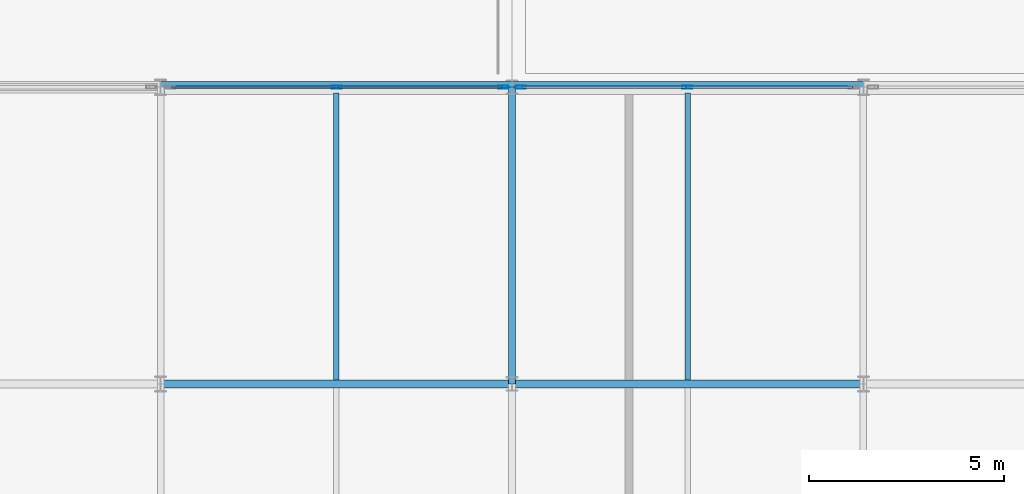
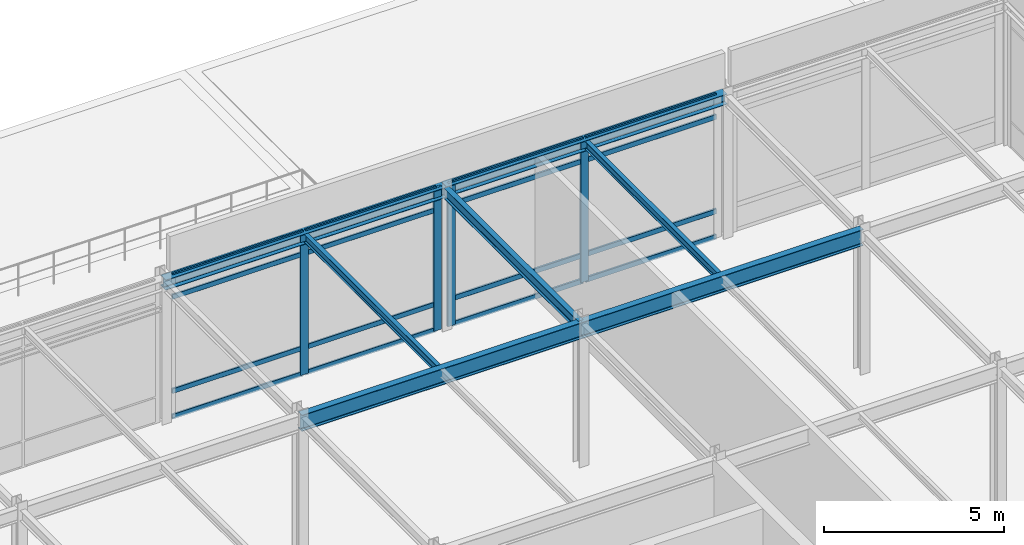
# One storey, part 44 of 79: 20 members, 7 beams, 2 elements without a shape of their own.
"""IFC4 building model written with IfcOpenShell, lengths in metres."""

from ifc_helpers import new_model, si_unit, direction, frame, origin, origin_2d, place, context, subcontext, project, spatial, hollow_rectangle, i_section, extrude, material, layer, layer_set, material_profile, profile_set, type_object, element, aggregate, save


model = new_model("IFC4")

# Units and contexts
model_context = context("Model", 3, precision=1e-05, world=origin(), true_north=direction((0.0, 1.0)))
body_context = subcontext(model_context, "Body", "Model", "MODEL_VIEW")
ifc_project = project(units=[si_unit("LENGTHUNIT", "METRE"), si_unit("AREAUNIT", "SQUARE_METRE"), si_unit("VOLUMEUNIT", "CUBIC_METRE"), si_unit("PLANEANGLEUNIT", "RADIAN"), si_unit("MASSUNIT", "GRAM", prefix="KILO")], contexts=[model_context])

# Site, building, storey
site_placement = place(None, origin())
site = spatial("IfcSite", under=ifc_project, at=site_placement, CompositionType="ELEMENT")
building_placement = place(site_placement, origin())
building = spatial("IfcBuilding", under=site, at=building_placement, Name="Shalkamar Park Central Library", CompositionType="ELEMENT")
storey_placement = place(building_placement, frame((0.0, 0.0, 10.5)))
storey = spatial("IfcBuildingStorey", under=building, at=storey_placement, Name="L03", CompositionType="ELEMENT", Elevation=10.5)

# Beams
ifc_material_1 = material(Name="Steel S355", Category="steel")
ifc_material_profile_1 = material_profile(ifc_material_1, i_section(OverallWidth=0.135009765625, OverallDepth=0.27001953125, WebThickness=0.006591796875, FlangeThickness=0.01025390625, FilletRadius=0.014892578125, at=origin_2d()), Name="IPE 270")
ifc_profile_set_1 = profile_set([ifc_material_profile_1], Name="Steel S355")
beam_type_1 = type_object("IfcBeamType", Name="Composite Floor Joist IPE270", PredefinedType="JOIST", material=ifc_profile_set_1)
for number, where, z_axis, x_axis, name in (
    (1, (250.5, 316.10302734375, 4.705078125), (0.0, 1.0, 0.0), (-1.0, 0.0, 0.0), "Composite Joist 17/L-1 (L03)"),
    (2, (259.5, 316.10302734375, 4.705078125), (0.0, 1.0, 0.0), (-1.0, 0.0, 0.0), "Composite Joist 18/L-1 (L03)"),
):
    element("IfcBeam", number, at=place(storey_placement, frame(where, z_axis=z_axis, x_axis=x_axis)), inside=storey, type_object=beam_type_1, Name=name, PredefinedType="JOIST", context=body_context, shape_type="SweptSolid", body=[
        extrude(i_section(OverallWidth=0.135009765625, OverallDepth=0.27001953125, WebThickness=0.006591796875, FlangeThickness=0.01025390625, FilletRadius=0.014892578125, at=origin_2d()), origin(), (0.0, 0.0, 1.0), 7.348876953125),
    ])

# Curtain wall, members
ifc_material_2 = material(Name="Thermally broken aluminium and triple low-e curtain wall", Category="aluminium")
ifc_layer_1 = layer(ifc_material_2, 0.260009765625)
ifc_layer_set_1 = layer_set([ifc_layer_1], Name="UnitisedCurtainWall_47")
curtain_wall_type_1 = type_object("IfcCurtainWallType", Name="Unitised Curtain Wall 47", PredefinedType="USERDEFINED", material=ifc_layer_set_1)
curtain_wall_1_placement = place(storey_placement, origin())
curtain_wall_1 = element("IfcCurtainWall", 3, at=curtain_wall_1_placement, inside=storey, type_object=curtain_wall_type_1, Name="Unitised Curtain Wall CW-L03-057", ObjectType="UNITISED CURTAIN WALL", PredefinedType="USERDEFINED")
ifc_material_3 = material(Name="Aluminium 6060-T66", Category="aluminium")
ifc_material_profile_2 = material_profile(ifc_material_3, hollow_rectangle(XDim=0.074951171875, YDim=0.260009765625, WallThickness=0.00439453125, InnerFilletRadius=0.00439453125, OuterFilletRadius=0.0068359375, at=origin_2d()), Name="ALU 75x260x4.5")
ifc_profile_set_2 = profile_set([ifc_material_profile_2], Name="Aluminium 6060-T66")
member_type_1 = type_object("IfcMemberType", Name="Curtain Wall Mullion ALU75x260", PredefinedType="MULLION", material=ifc_profile_set_2)
member_1_placement = place(storey_placement, frame((250.510009765625, 323.60009765625, 0.0), z_axis=(0.0, 0.0, 1.0), x_axis=(0.0, 1.0, 0.0)))
member_1 = element("IfcMember", 4, at=member_1_placement, type_object=member_type_1, Name="CW-47 mullion 2", PredefinedType="MULLION", context=body_context, shape_type="SweptSolid", body=[
    extrude(hollow_rectangle(XDim=0.074951171875, YDim=0.260009765625, WallThickness=0.00439453125, InnerFilletRadius=0.00439453125, OuterFilletRadius=0.0068359375, at=origin_2d()), origin(), (0.0, 0.0, 1.0), 4.840087890625),
])
member_2_placement = place(storey_placement, frame((254.778564453125, 323.60009765625, 0.0), z_axis=(0.0, 0.0, 1.0), x_axis=(0.0, 1.0, 0.0)))
member_2 = element("IfcMember", 5, at=member_2_placement, type_object=member_type_1, Name="CW-47 mullion 3", PredefinedType="MULLION", context=body_context, shape_type="SweptSolid", body=[
    extrude(hollow_rectangle(XDim=0.074951171875, YDim=0.260009765625, WallThickness=0.00439453125, InnerFilletRadius=0.00439453125, OuterFilletRadius=0.0068359375, at=origin_2d()), origin(), (0.0, 0.0, 1.0), 4.840087890625),
])

ifc_layer_2 = layer(ifc_material_2, 0.2548828125)
ifc_layer_set_2 = layer_set([ifc_layer_2], Name="UnitisedCurtainWall_35")
curtain_wall_type_2 = type_object("IfcCurtainWallType", Name="Unitised Curtain Wall 35", PredefinedType="USERDEFINED", material=ifc_layer_set_2)
curtain_wall_2_placement = place(storey_placement, origin())
curtain_wall_2 = element("IfcCurtainWall", 6, at=curtain_wall_2_placement, inside=storey, type_object=curtain_wall_type_2, Name="Unitised Curtain Wall CW-L03-058", ObjectType="UNITISED CURTAIN WALL", PredefinedType="USERDEFINED")
ifc_material_profile_3 = material_profile(ifc_material_3, hollow_rectangle(XDim=0.080078125, YDim=0.2548828125, WallThickness=0.00439453125, InnerFilletRadius=0.00439453125, OuterFilletRadius=0.0068359375, at=origin_2d()), Name="ALU 80x255x4.5")
ifc_profile_set_3 = profile_set([ifc_material_profile_3], Name="Aluminium 6060-T66")
member_type_2 = type_object("IfcMemberType", Name="Curtain Wall Mullion ALU80x255", PredefinedType="MULLION", material=ifc_profile_set_3)
member_3_placement = place(storey_placement, frame((255.22412109375, 323.60009765625, 0.0), z_axis=(0.0, 0.0, 1.0), x_axis=(0.0, 1.0, 0.0)))
member_3 = element("IfcMember", 7, at=member_3_placement, type_object=member_type_2, Name="CW-35 mullion 1", PredefinedType="MULLION", context=body_context, shape_type="SweptSolid", body=[
    extrude(hollow_rectangle(XDim=0.080078125, YDim=0.2548828125, WallThickness=0.00439453125, InnerFilletRadius=0.00439453125, OuterFilletRadius=0.0068359375, at=origin_2d()), origin(), (0.0, 0.0, 1.0), 4.85009765625),
])
member_4_placement = place(storey_placement, frame((259.489990234375, 323.60009765625, 0.0), z_axis=(0.0, 0.0, 1.0), x_axis=(0.0, 1.0, 0.0)))
member_4 = element("IfcMember", 8, at=member_4_placement, type_object=member_type_2, Name="CW-35 mullion 2", PredefinedType="MULLION", context=body_context, shape_type="SweptSolid", body=[
    extrude(hollow_rectangle(XDim=0.080078125, YDim=0.2548828125, WallThickness=0.00439453125, InnerFilletRadius=0.00439453125, OuterFilletRadius=0.0068359375, at=origin_2d()), origin(), (0.0, 0.0, 1.0), 4.85009765625),
])

# Member
ifc_material_profile_4 = material_profile(ifc_material_3, hollow_rectangle(XDim=0.06005859375, YDim=0.1650390625, WallThickness=0.00390625, InnerFilletRadius=0.00390625, OuterFilletRadius=0.006103515625, at=origin_2d()), Name="ALU 60x165x4")
ifc_profile_set_4 = profile_set([ifc_material_profile_4], Name="Aluminium 6060-T66")
member_type_3 = type_object("IfcMemberType", Name="Curtain Wall Transom ALU60x165", PredefinedType="USERDEFINED", material=ifc_profile_set_4)
member_5_placement = place(storey_placement, frame((246.279052734375, 323.60009765625, 0.030029296875), z_axis=(1.0, 0.0, 0.0), x_axis=(0.0, 1.0, 0.0)))
member_5 = element("IfcMember", 9, at=member_5_placement, type_object=member_type_3, Name="CW-47 transom 1.1", ObjectType="TRANSOM", PredefinedType="USERDEFINED", context=body_context, shape_type="SweptSolid", body=[
    extrude(hollow_rectangle(XDim=0.06005859375, YDim=0.1650390625, WallThickness=0.00390625, InnerFilletRadius=0.00390625, OuterFilletRadius=0.006103515625, at=origin_2d()), origin(), (0.0, 0.0, 1.0), 4.193359375),
])

member_6_placement = place(storey_placement, frame((246.279052734375, 323.60009765625, 0.89990234375), z_axis=(1.0, 0.0, 0.0), x_axis=(0.0, 1.0, 0.0)))
member_6 = element("IfcMember", 10, at=member_6_placement, type_object=member_type_3, Name="CW-47 transom 1.2", ObjectType="TRANSOM", PredefinedType="USERDEFINED", context=body_context, shape_type="SweptSolid", body=[
    extrude(hollow_rectangle(XDim=0.06005859375, YDim=0.1650390625, WallThickness=0.00390625, InnerFilletRadius=0.00390625, OuterFilletRadius=0.006103515625, at=origin_2d()), origin(), (0.0, 0.0, 1.0), 4.193359375),
])

member_7_placement = place(storey_placement, frame((246.279052734375, 323.60009765625, 4.090087890625), z_axis=(1.0, 0.0, 0.0), x_axis=(0.0, 1.0, 0.0)))
member_7 = element("IfcMember", 11, at=member_7_placement, type_object=member_type_3, Name="CW-47 transom 1.3", ObjectType="TRANSOM", PredefinedType="USERDEFINED", context=body_context, shape_type="SweptSolid", body=[
    extrude(hollow_rectangle(XDim=0.06005859375, YDim=0.1650390625, WallThickness=0.00390625, InnerFilletRadius=0.00390625, OuterFilletRadius=0.006103515625, at=origin_2d()), origin(), (0.0, 0.0, 1.0), 4.193359375),
])

member_8_placement = place(storey_placement, frame((246.279052734375, 323.60009765625, 4.81005859375), z_axis=(1.0, 0.0, 0.0), x_axis=(0.0, 1.0, 0.0)))
member_8 = element("IfcMember", 12, at=member_8_placement, type_object=member_type_3, Name="CW-47 transom 1.4", ObjectType="TRANSOM", PredefinedType="USERDEFINED", context=body_context, shape_type="SweptSolid", body=[
    extrude(hollow_rectangle(XDim=0.06005859375, YDim=0.1650390625, WallThickness=0.00390625, InnerFilletRadius=0.00390625, OuterFilletRadius=0.006103515625, at=origin_2d()), origin(), (0.0, 0.0, 1.0), 4.193359375),
])

member_9_placement = place(storey_placement, frame((250.547607421875, 323.60009765625, 0.030029296875), z_axis=(1.0, 0.0, 0.0), x_axis=(0.0, 1.0, 0.0)))
member_9 = element("IfcMember", 13, at=member_9_placement, type_object=member_type_3, Name="CW-47 transom 2.1", ObjectType="TRANSOM", PredefinedType="USERDEFINED", context=body_context, shape_type="SweptSolid", body=[
    extrude(hollow_rectangle(XDim=0.06005859375, YDim=0.1650390625, WallThickness=0.00390625, InnerFilletRadius=0.00390625, OuterFilletRadius=0.006103515625, at=origin_2d()), origin(), (0.0, 0.0, 1.0), 4.193359375),
])

member_10_placement = place(storey_placement, frame((250.547607421875, 323.60009765625, 0.89990234375), z_axis=(1.0, 0.0, 0.0), x_axis=(0.0, 1.0, 0.0)))
member_10 = element("IfcMember", 14, at=member_10_placement, type_object=member_type_3, Name="CW-47 transom 2.2", ObjectType="TRANSOM", PredefinedType="USERDEFINED", context=body_context, shape_type="SweptSolid", body=[
    extrude(hollow_rectangle(XDim=0.06005859375, YDim=0.1650390625, WallThickness=0.00390625, InnerFilletRadius=0.00390625, OuterFilletRadius=0.006103515625, at=origin_2d()), origin(), (0.0, 0.0, 1.0), 4.193359375),
])

member_11_placement = place(storey_placement, frame((250.547607421875, 323.60009765625, 4.090087890625), z_axis=(1.0, 0.0, 0.0), x_axis=(0.0, 1.0, 0.0)))
member_11 = element("IfcMember", 15, at=member_11_placement, type_object=member_type_3, Name="CW-47 transom 2.3", ObjectType="TRANSOM", PredefinedType="USERDEFINED", context=body_context, shape_type="SweptSolid", body=[
    extrude(hollow_rectangle(XDim=0.06005859375, YDim=0.1650390625, WallThickness=0.00390625, InnerFilletRadius=0.00390625, OuterFilletRadius=0.006103515625, at=origin_2d()), origin(), (0.0, 0.0, 1.0), 4.193359375),
])

member_12_placement = place(storey_placement, frame((250.547607421875, 323.60009765625, 4.81005859375), z_axis=(1.0, 0.0, 0.0), x_axis=(0.0, 1.0, 0.0)))
member_12 = element("IfcMember", 16, at=member_12_placement, type_object=member_type_3, Name="CW-47 transom 2.4", ObjectType="TRANSOM", PredefinedType="USERDEFINED", context=body_context, shape_type="SweptSolid", body=[
    extrude(hollow_rectangle(XDim=0.06005859375, YDim=0.1650390625, WallThickness=0.00390625, InnerFilletRadius=0.00390625, OuterFilletRadius=0.006103515625, at=origin_2d()), origin(), (0.0, 0.0, 1.0), 4.193359375),
])

aggregate(curtain_wall_1, [member_1, member_2, member_5, member_6, member_7, member_8, member_9, member_10, member_11, member_12])

ifc_material_profile_5 = material_profile(ifc_material_3, hollow_rectangle(XDim=0.06494140625, YDim=0.169921875, WallThickness=0.00390625, InnerFilletRadius=0.00390625, OuterFilletRadius=0.006103515625, at=origin_2d()), Name="ALU 65x170x4")
ifc_profile_set_5 = profile_set([ifc_material_profile_5], Name="Aluminium 6060-T66")
member_type_4 = type_object("IfcMemberType", Name="Curtain Wall Transom ALU65x170", PredefinedType="USERDEFINED", material=ifc_profile_set_5)
member_13_placement = place(storey_placement, frame((255.263916015625, 323.60009765625, 0.032470703125), z_axis=(1.0, 0.0, 0.0), x_axis=(0.0, 1.0, 0.0)))
member_13 = element("IfcMember", 17, at=member_13_placement, type_object=member_type_4, Name="CW-35 transom 1.1", ObjectType="TRANSOM", PredefinedType="USERDEFINED", context=body_context, shape_type="SweptSolid", body=[
    extrude(hollow_rectangle(XDim=0.06494140625, YDim=0.169921875, WallThickness=0.00390625, InnerFilletRadius=0.00390625, OuterFilletRadius=0.006103515625, at=origin_2d()), origin(), (0.0, 0.0, 1.0), 4.18603515625),
])

member_14_placement = place(storey_placement, frame((255.263916015625, 323.60009765625, 0.89990234375), z_axis=(1.0, 0.0, 0.0), x_axis=(0.0, 1.0, 0.0)))
member_14 = element("IfcMember", 18, at=member_14_placement, type_object=member_type_4, Name="CW-35 transom 1.2", ObjectType="TRANSOM", PredefinedType="USERDEFINED", context=body_context, shape_type="SweptSolid", body=[
    extrude(hollow_rectangle(XDim=0.06494140625, YDim=0.169921875, WallThickness=0.00390625, InnerFilletRadius=0.00390625, OuterFilletRadius=0.006103515625, at=origin_2d()), origin(), (0.0, 0.0, 1.0), 4.18603515625),
])

member_15_placement = place(storey_placement, frame((255.263916015625, 323.60009765625, 4.10009765625), z_axis=(1.0, 0.0, 0.0), x_axis=(0.0, 1.0, 0.0)))
member_15 = element("IfcMember", 19, at=member_15_placement, type_object=member_type_4, Name="CW-35 transom 1.3", ObjectType="TRANSOM", PredefinedType="USERDEFINED", context=body_context, shape_type="SweptSolid", body=[
    extrude(hollow_rectangle(XDim=0.06494140625, YDim=0.169921875, WallThickness=0.00390625, InnerFilletRadius=0.00390625, OuterFilletRadius=0.006103515625, at=origin_2d()), origin(), (0.0, 0.0, 1.0), 4.18603515625),
])

member_16_placement = place(storey_placement, frame((255.263916015625, 323.60009765625, 4.8173828125), z_axis=(1.0, 0.0, 0.0), x_axis=(0.0, 1.0, 0.0)))
member_16 = element("IfcMember", 20, at=member_16_placement, type_object=member_type_4, Name="CW-35 transom 1.4", ObjectType="TRANSOM", PredefinedType="USERDEFINED", context=body_context, shape_type="SweptSolid", body=[
    extrude(hollow_rectangle(XDim=0.06494140625, YDim=0.169921875, WallThickness=0.00390625, InnerFilletRadius=0.00390625, OuterFilletRadius=0.006103515625, at=origin_2d()), origin(), (0.0, 0.0, 1.0), 4.18603515625),
])

member_17_placement = place(storey_placement, frame((259.530029296875, 323.60009765625, 0.032470703125), z_axis=(1.0, 0.0, 0.0), x_axis=(0.0, 1.0, 0.0)))
member_17 = element("IfcMember", 21, at=member_17_placement, type_object=member_type_4, Name="CW-35 transom 2.1", ObjectType="TRANSOM", PredefinedType="USERDEFINED", context=body_context, shape_type="SweptSolid", body=[
    extrude(hollow_rectangle(XDim=0.06494140625, YDim=0.169921875, WallThickness=0.00390625, InnerFilletRadius=0.00390625, OuterFilletRadius=0.006103515625, at=origin_2d()), origin(), (0.0, 0.0, 1.0), 4.18603515625),
])

member_18_placement = place(storey_placement, frame((259.530029296875, 323.60009765625, 0.89990234375), z_axis=(1.0, 0.0, 0.0), x_axis=(0.0, 1.0, 0.0)))
member_18 = element("IfcMember", 22, at=member_18_placement, type_object=member_type_4, Name="CW-35 transom 2.2", ObjectType="TRANSOM", PredefinedType="USERDEFINED", context=body_context, shape_type="SweptSolid", body=[
    extrude(hollow_rectangle(XDim=0.06494140625, YDim=0.169921875, WallThickness=0.00390625, InnerFilletRadius=0.00390625, OuterFilletRadius=0.006103515625, at=origin_2d()), origin(), (0.0, 0.0, 1.0), 4.18603515625),
])

member_19_placement = place(storey_placement, frame((259.530029296875, 323.60009765625, 4.10009765625), z_axis=(1.0, 0.0, 0.0), x_axis=(0.0, 1.0, 0.0)))
member_19 = element("IfcMember", 23, at=member_19_placement, type_object=member_type_4, Name="CW-35 transom 2.3", ObjectType="TRANSOM", PredefinedType="USERDEFINED", context=body_context, shape_type="SweptSolid", body=[
    extrude(hollow_rectangle(XDim=0.06494140625, YDim=0.169921875, WallThickness=0.00390625, InnerFilletRadius=0.00390625, OuterFilletRadius=0.006103515625, at=origin_2d()), origin(), (0.0, 0.0, 1.0), 4.18603515625),
])

member_20_placement = place(storey_placement, frame((259.530029296875, 323.60009765625, 4.8173828125), z_axis=(1.0, 0.0, 0.0), x_axis=(0.0, 1.0, 0.0)))
member_20 = element("IfcMember", 24, at=member_20_placement, type_object=member_type_4, Name="CW-35 transom 2.4", ObjectType="TRANSOM", PredefinedType="USERDEFINED", context=body_context, shape_type="SweptSolid", body=[
    extrude(hollow_rectangle(XDim=0.06494140625, YDim=0.169921875, WallThickness=0.00390625, InnerFilletRadius=0.00390625, OuterFilletRadius=0.006103515625, at=origin_2d()), origin(), (0.0, 0.0, 1.0), 4.18603515625),
])

aggregate(curtain_wall_2, [member_3, member_4, member_13, member_14, member_15, member_16, member_17, member_18, member_19, member_20])

# Beams
ifc_material_profile_6 = material_profile(ifc_material_1, i_section(OverallWidth=0.300048828125, OverallDepth=0.35009765625, WebThickness=0.010009765625, FlangeThickness=0.017578125, FilletRadius=0.027099609375, at=origin_2d()), Name="HEA 360")
ifc_profile_set_6 = profile_set([ifc_material_profile_6], Name="Steel S355")
beam_type_2 = type_object("IfcBeamType", Name="Perimeter Spandrel Beam HEA360", PredefinedType="SPANDREL", material=ifc_profile_set_6)
for number, where, z_axis, x_axis, name in (
    (25, (246.0, 323.60009765625, 4.6650390625), (1.0, 0.0, 0.0), (0.0, 1.0, 0.0), "Beam M:17-18 (L03)"),
    (26, (255.0, 323.60009765625, 4.675048828125), (1.0, 0.0, 0.0), (0.0, 1.0, 0.0), "Beam M:18-19 (L03)"),
):
    element("IfcBeam", number, at=place(storey_placement, frame(where, z_axis=z_axis, x_axis=x_axis)), inside=storey, type_object=beam_type_2, Name=name, PredefinedType="SPANDREL", context=body_context, shape_type="SweptSolid", body=[
        extrude(i_section(OverallWidth=0.300048828125, OverallDepth=0.35009765625, WebThickness=0.010009765625, FlangeThickness=0.017578125, FilletRadius=0.027099609375, at=origin_2d()), origin(), (0.0, 0.0, 1.0), 9.0),
    ])
ifc_material_profile_7 = material_profile(ifc_material_1, i_section(OverallWidth=0.169921875, OverallDepth=0.360107421875, WebThickness=0.008056640625, FlangeThickness=0.0126953125, FilletRadius=0.01806640625, at=origin_2d()), Name="IPE 360")
ifc_profile_set_7 = profile_set([ifc_material_profile_7], Name="Steel S355")
beam_type_3 = type_object("IfcBeamType", Name="Primary Girder IPE360", PredefinedType="BEAM", material=ifc_profile_set_7)
beam_placement = place(storey_placement, frame((255.0, 316.0, 4.659912109375), z_axis=(0.0, 1.0, 0.0), x_axis=(-1.0, 0.0, 0.0)))
element("IfcBeam", 27, at=beam_placement, inside=storey, type_object=beam_type_3, Name="Beam 18:L-M (L03)", PredefinedType="BEAM", context=body_context, shape_type="SweptSolid", body=[
    extrude(i_section(OverallWidth=0.169921875, OverallDepth=0.360107421875, WebThickness=0.008056640625, FlangeThickness=0.0126953125, FilletRadius=0.01806640625, at=origin_2d()), origin(), (0.0, 0.0, 1.0), 7.60009765625),
])
ifc_material_profile_8 = material_profile(ifc_material_1, i_section(OverallWidth=0.2099609375, OverallDepth=0.550048828125, WebThickness=0.010986328125, FlangeThickness=0.01708984375, FilletRadius=0.02392578125, at=origin_2d()), Name="IPE 550")
ifc_profile_set_8 = profile_set([ifc_material_profile_8], Name="Steel S355")
beam_type_4 = type_object("IfcBeamType", Name="Primary Girder IPE550", PredefinedType="BEAM", material=ifc_profile_set_8)
for number, where, z_axis, x_axis, name in (
    (28, (246.0, 316.0, 4.56494140625), (1.0, 0.0, 0.0), (0.0, 1.0, 0.0), "Beam L:17-18 (L03)"),
    (29, (255.0, 316.0, 4.56494140625), (1.0, 0.0, 0.0), (0.0, 1.0, 0.0), "Beam L:18-19 (L03)"),
):
    element("IfcBeam", number, at=place(storey_placement, frame(where, z_axis=z_axis, x_axis=x_axis)), inside=storey, type_object=beam_type_4, Name=name, PredefinedType="BEAM", context=body_context, shape_type="SweptSolid", body=[
        extrude(i_section(OverallWidth=0.2099609375, OverallDepth=0.550048828125, WebThickness=0.010986328125, FlangeThickness=0.01708984375, FilletRadius=0.02392578125, at=origin_2d()), origin(), (0.0, 0.0, 1.0), 9.0),
    ])

save(model, "model.ifc")
